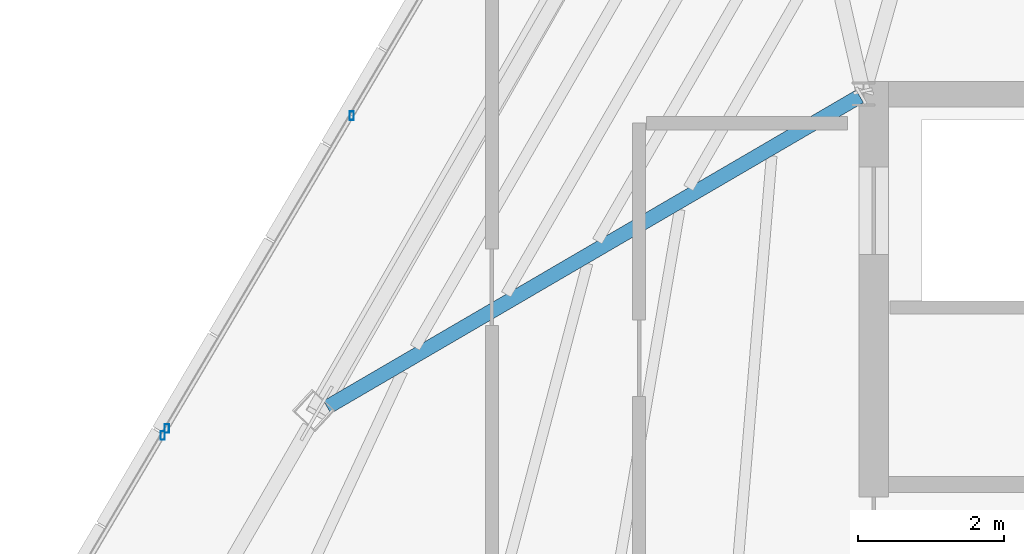
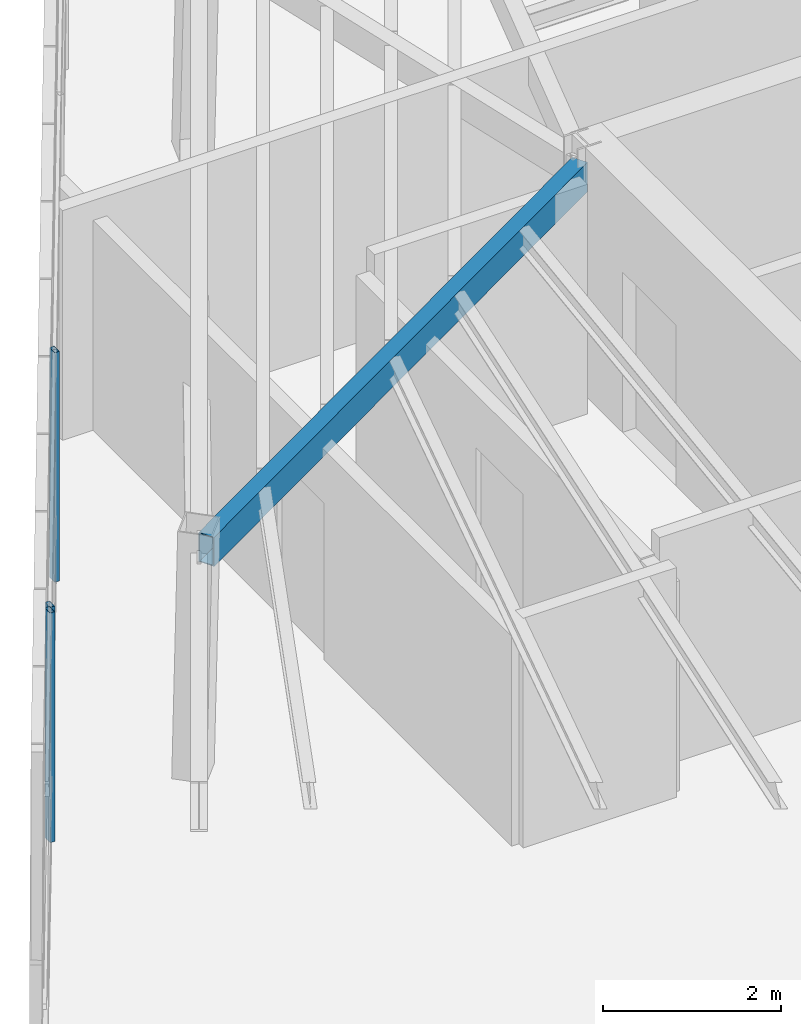
# One storey, part 17 of 44: 3 members, 1 beam, 2 elements without a shape of their own.
"""IFC4 building model written with IfcOpenShell, lengths in metres."""

from ifc_helpers import new_model, si_unit, direction, frame, origin, origin_2d, place, context, subcontext, project, spatial, hollow_rectangle, extrude, source, transform, mapped, material, material_profile, profile_set, type_object, type_shapes, element, aggregate, save


model = new_model("IFC4")

# Units and contexts
model_context = context("Model", 3, precision=1e-05, world=origin(), true_north=direction((0.0, 1.0)))
body_context = subcontext(model_context, "Body", "Model", "MODEL_VIEW")
ifc_project = project(units=[si_unit("LENGTHUNIT", "METRE"), si_unit("AREAUNIT", "SQUARE_METRE"), si_unit("VOLUMEUNIT", "CUBIC_METRE"), si_unit("PLANEANGLEUNIT", "RADIAN"), si_unit("MASSUNIT", "GRAM", prefix="KILO")], contexts=[model_context])

# Site, building, storey
site_placement = place(None, origin())
site = spatial("IfcSite", under=ifc_project, at=site_placement, CompositionType="ELEMENT")
building_placement = place(site_placement, origin())
building = spatial("IfcBuilding", under=site, at=building_placement, Name="Caelisora Broadcast Tower", CompositionType="ELEMENT")
storey_placement = place(building_placement, frame((0.0, 0.0, 296.60009765625)))
storey = spatial("IfcBuildingStorey", under=building, at=storey_placement, Name="L78", CompositionType="ELEMENT", Elevation=296.60009765625)

# Beam
ifc_material_1 = material(Name="Steel Grade 350 (AS/NZS 1163 C350L0)", Category="steel")
ifc_material_profile_1 = material_profile(ifc_material_1, hollow_rectangle(XDim=0.199951171875, YDim=0.39990234375, WallThickness=0.012451171875, at=origin_2d()), Name="Steel Grade 350 (AS/NZS 1163 C350L0)")
ifc_profile_set_1 = profile_set([ifc_material_profile_1], Name="Steel Grade 350 (AS/NZS 1163 C350L0)")
beam_type = type_object("IfcBeamType", Name="PG07", PredefinedType="BEAM", material=ifc_profile_set_1)
shared_shape_1 = source(origin(), body_context, "Body", "SweptSolid", [
    extrude(hollow_rectangle(XDim=0.199951171875, YDim=0.39990234375, WallThickness=0.012451171875, at=origin_2d()), origin(), (0.0, 0.0, 1.0), 8.462158203125),
])
type_shapes(beam_type, [shared_shape_1])
beam_placement = place(storey_placement, frame((30.4482421875, 29.9697265625, 2.949951171875), z_axis=(-0.863641791359, -0.504105997007, 0.0), x_axis=(0.504105997007, -0.863641791359, 0.0)))
element("IfcBeam", 1, at=beam_placement, inside=storey, type_object=beam_type, Name="L78 beam PG07", PredefinedType="BEAM", context=body_context, shape_type="MappedRepresentation", body=[
    mapped(shared_shape_1, transform((0.0, 0.0, 0.0), scale=1.0)),
])

# Curtain wall, member
ifc_material_2 = material(Name="Unitised Aluminium Insulated Shadow-Box Spandrel Curtain Wall", Category="aluminium")
curtain_wall_type = type_object("IfcCurtainWallType", Name="CW-SP3", PredefinedType="NOTDEFINED", material=ifc_material_2)
curtain_wall_1_placement = place(storey_placement, origin())
curtain_wall_1 = element("IfcCurtainWall", 2, at=curtain_wall_1_placement, inside=storey, type_object=curtain_wall_type, Name="L78 curtain wall CW-SP3", PredefinedType="NOTDEFINED")
ifc_material_3 = material(Name="Aluminium 6063-T6 Anodised Terracotta Bronze", Category="aluminium")
ifc_material_profile_2 = material_profile(ifc_material_3, hollow_rectangle(XDim=0.06005859375, YDim=0.1201171875, WallThickness=0.0029296875, at=origin_2d()), Name="Aluminium 6063-T6 Anodised Terracotta Bronze")
ifc_profile_set_2 = profile_set([ifc_material_profile_2], Name="Aluminium 6063-T6 Anodised Terracotta Bronze")
member_type = type_object("IfcMemberType", Name="CWM-04", PredefinedType="MULLION", material=ifc_profile_set_2)
shared_shape_2 = source(origin(), body_context, "Body", "SweptSolid", [
    extrude(hollow_rectangle(XDim=0.06005859375, YDim=0.1201171875, WallThickness=0.0029296875, at=origin_2d()), origin(), (0.0, 0.0, 1.0), 3.14990234375),
])
type_shapes(member_type, [shared_shape_2])
member_1_placement = place(storey_placement, frame((20.88330078125, 25.314208984375, 0.0), z_axis=(0.0, 0.0, 1.0), x_axis=(1.0, 0.0, 0.0)))
member_1 = element("IfcMember", 3, at=member_1_placement, type_object=member_type, Name="L78-CW-B09 mullion #3", PredefinedType="MULLION", context=body_context, shape_type="MappedRepresentation", body=[
    mapped(shared_shape_2, transform((0.0, 0.0, 0.0), scale=1.0)),
])
aggregate(curtain_wall_1, [member_1])

# Curtain wall, members
curtain_wall_2_placement = place(storey_placement, origin())
curtain_wall_2 = element("IfcCurtainWall", 4, at=curtain_wall_2_placement, inside=storey, type_object=curtain_wall_type, Name="L78 curtain wall CW-SP3", PredefinedType="NOTDEFINED")
member_2_placement = place(storey_placement, frame((20.939208984375, 25.408935546875, 0.0), z_axis=(0.0, 0.0, 1.0), x_axis=(1.0, 0.0, 0.0)))
member_2 = element("IfcMember", 5, at=member_2_placement, type_object=member_type, Name="L78-CW-B10 mullion #0", PredefinedType="MULLION", context=body_context, shape_type="MappedRepresentation", body=[
    mapped(shared_shape_2, transform((0.0, 0.0, 0.0), scale=1.0)),
])
member_3_placement = place(storey_placement, frame((23.4775390625, 29.70361328125, 0.0), z_axis=(0.0, 0.0, 1.0), x_axis=(1.0, 0.0, 0.0)))
member_3 = element("IfcMember", 6, at=member_3_placement, type_object=member_type, Name="L78-CW-B10 mullion #1", PredefinedType="MULLION", context=body_context, shape_type="MappedRepresentation", body=[
    mapped(shared_shape_2, transform((0.0, 0.0, 0.0), scale=1.0)),
])
aggregate(curtain_wall_2, [member_2, member_3])

save(model, "model.ifc")
